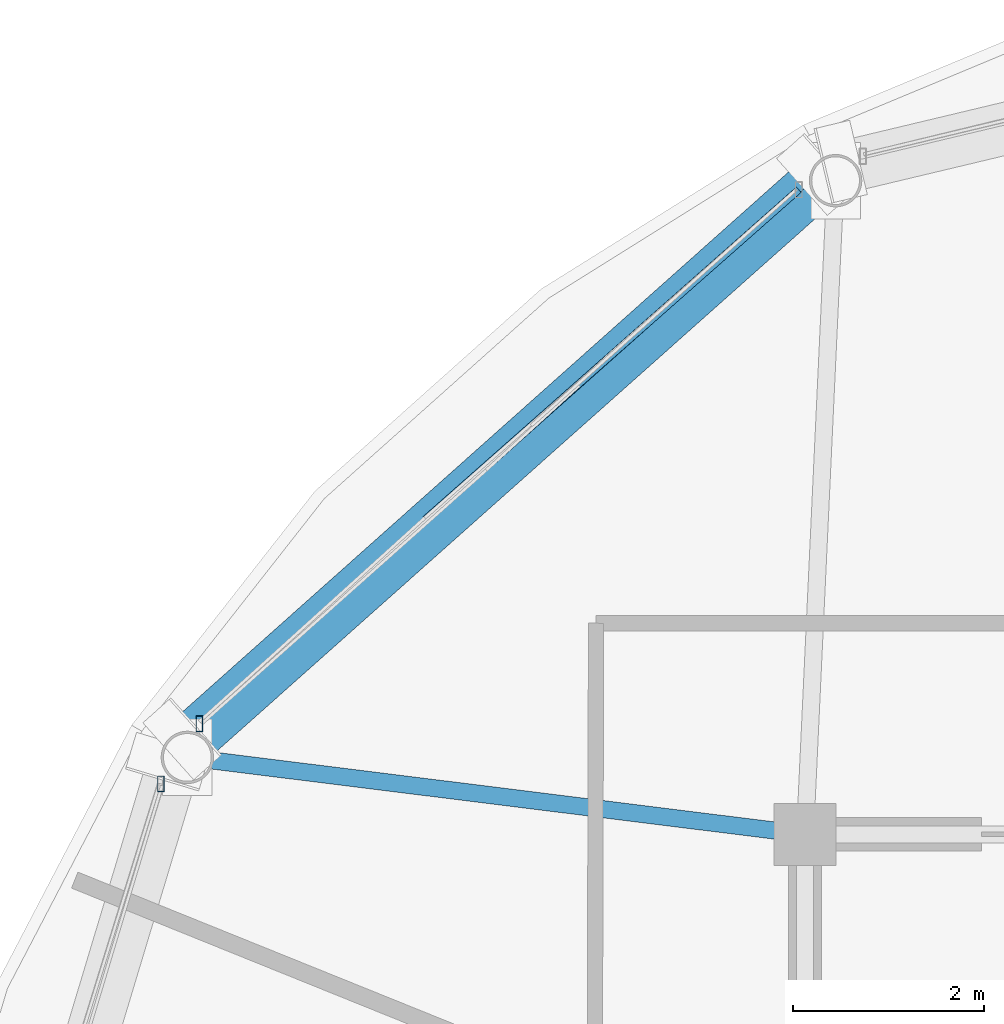
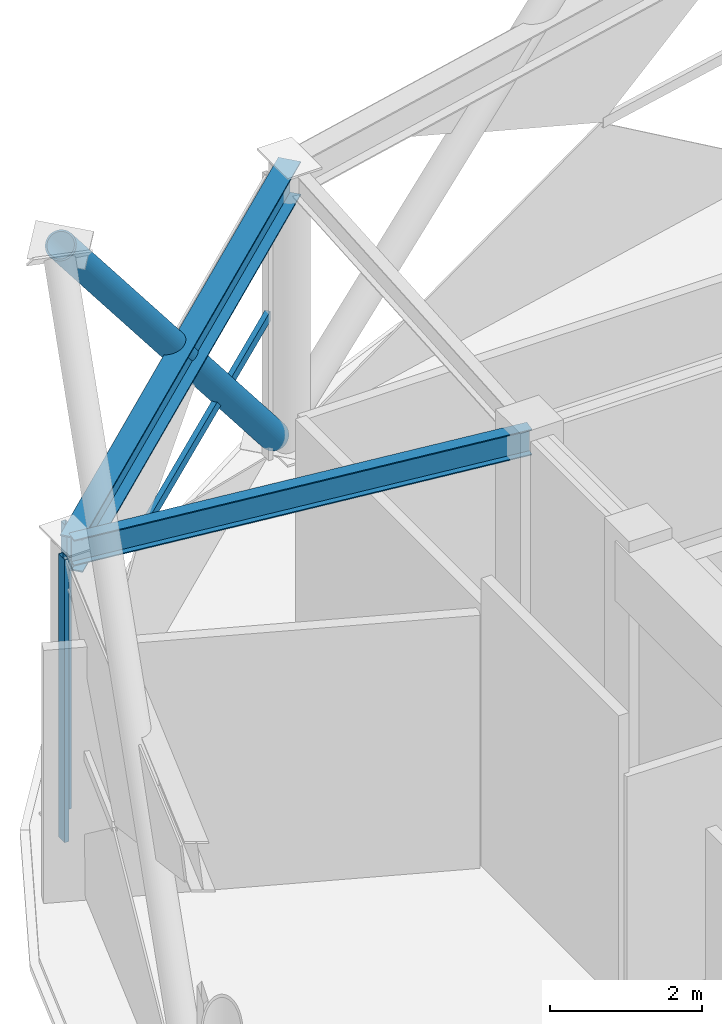
# One storey, part 10 of 27: 4 members, 2 beams, 2 elements without a shape of their own.
"""IFC4 building model written with IfcOpenShell, lengths in metres."""

from ifc_helpers import new_model, si_unit, direction, frame, origin, origin_2d, place, context, subcontext, project, spatial, hollow_rectangle, hollow_circle, i_section, extrude, material, layer, layer_set, material_profile, profile_set, type_object, element, aggregate, save


model = new_model("IFC4")

# Units and contexts
model_context = context("Model", 3, precision=1e-05, world=origin(), true_north=direction((0.0, 1.0)))
body_context = subcontext(model_context, "Body", "Model", "MODEL_VIEW")
ifc_project = project(units=[si_unit("LENGTHUNIT", "METRE"), si_unit("AREAUNIT", "SQUARE_METRE"), si_unit("VOLUMEUNIT", "CUBIC_METRE"), si_unit("PLANEANGLEUNIT", "RADIAN"), si_unit("MASSUNIT", "GRAM", prefix="KILO")], contexts=[model_context])

# Site, building, storey
site_placement = place(None, origin())
site = spatial("IfcSite", under=ifc_project, at=site_placement, CompositionType="ELEMENT")
building_placement = place(site_placement, origin())
building = spatial("IfcBuilding", under=site, at=building_placement, Name="Vantalir Tower", CompositionType="ELEMENT")
storey_placement = place(building_placement, frame((0.0, 0.0, 290.10009765625)))
storey = spatial("IfcBuildingStorey", under=building, at=storey_placement, Name="L73", CompositionType="ELEMENT", Elevation=290.10009765625)

# Beams
ifc_material_1 = material(Name="Steel S355", Category="steel")
ifc_material_profile_1 = material_profile(ifc_material_1, i_section(OverallWidth=0.179931640625, OverallDepth=0.4130859375, WebThickness=0.009521484375, FlangeThickness=0.01611328125, at=origin_2d()), Name="Steel S355")
ifc_profile_set_1 = profile_set([ifc_material_profile_1], Name="Steel S355")
beam_type_1 = type_object("IfcBeamType", Name="BM-RB-406x178", PredefinedType="BEAM", material=ifc_profile_set_1)
beam_1_placement = place(storey_placement, frame((15.427001953125, 33.256103515625, 4.413818359375), z_axis=(0.992333630483, -0.123587886993, 0.0), x_axis=(0.123587886993, 0.992333630483, 0.0)))
element("IfcBeam", 1, at=beam_1_placement, inside=storey, type_object=beam_type_1, Name="L73 Radial Floor Beam 06", PredefinedType="BEAM", context=body_context, shape_type="SweptSolid", body=[
    extrude(i_section(OverallWidth=0.179931640625, OverallDepth=0.4130859375, WebThickness=0.009521484375, FlangeThickness=0.01611328125, at=origin_2d()), origin(), (0.0, 0.0, 1.0), 6.52294921875),
])
ifc_material_2 = material(Name="Steel S460", Category="steel")
ifc_material_profile_2 = material_profile(ifc_material_2, i_section(OverallWidth=0.31201171875, OverallDepth=0.5419921875, WebThickness=0.0126953125, FlangeThickness=0.020263671875, at=origin_2d()), Name="Steel S460")
ifc_profile_set_2 = profile_set([ifc_material_profile_2], Name="Steel S460")
beam_type_2 = type_object("IfcBeamType", Name="BM-RG-533x312", PredefinedType="USERDEFINED", material=ifc_profile_set_2)
beam_2_placement = place(storey_placement, frame((22.219970703125, 39.300048828125, 4.348876953125), z_axis=(-0.747095174026, -0.664717083388, 0.0), x_axis=(0.664717083388, -0.747095174026, 0.0)))
element("IfcBeam", 2, at=beam_2_placement, inside=storey, type_object=beam_type_2, Name="L73 Circumferential Ring Girder 05", ObjectType="GIRDER", PredefinedType="USERDEFINED", context=body_context, shape_type="SweptSolid", body=[
    extrude(i_section(OverallWidth=0.31201171875, OverallDepth=0.5419921875, WebThickness=0.0126953125, FlangeThickness=0.020263671875, at=origin_2d()), origin(), (0.0, 0.0, 1.0), 9.092529296875),
])

# Curtain wall, member
ifc_material_3 = material(Name="Champagne-silver PVDF aluminium and double-silver Low-E glass", Category="aluminium")
ifc_layer = layer(ifc_material_3, 0.219970703125)
ifc_layer_set = layer_set([ifc_layer], Name="Champagne-silver PVDF aluminium and double-silver Low-E glass")
curtain_wall_type = type_object("IfcCurtainWallType", Name="CW-DIAMOND-Z4", PredefinedType="USERDEFINED", material=ifc_layer_set)
curtain_wall_1_placement = place(storey_placement, origin())
curtain_wall_1 = element("IfcCurtainWall", 3, at=curtain_wall_1_placement, inside=storey, type_object=curtain_wall_type, Name="L73 Quilted Pyramid-Diamond Curtain Wall S05", ObjectType="UNITISED CURTAIN WALL", PredefinedType="USERDEFINED")
ifc_material_4 = material(Name="Champagne-silver PVDF aluminium 6063-T6", Category="aluminium")
ifc_material_profile_3 = material_profile(ifc_material_4, hollow_rectangle(XDim=0.070068359375, YDim=0.1650390625, WallThickness=0.00390625, at=origin_2d()), Name="Champagne-silver PVDF aluminium 6063-T6")
ifc_profile_set_3 = profile_set([ifc_material_profile_3], Name="Champagne-silver PVDF aluminium 6063-T6")
member_type_1 = type_object("IfcMemberType", Name="CWM-165x70", PredefinedType="MULLION", material=ifc_profile_set_3)
member_1_placement = place(storey_placement, frame((15.552978515625, 33.610107421875, 0.044921875), z_axis=(0.0, 0.0, 1.0), x_axis=(1.0, 0.0, 0.0)))
member_1 = element("IfcMember", 4, at=member_1_placement, type_object=member_type_1, Name="CW-L73-S05 Mullion 2", PredefinedType="MULLION", context=body_context, shape_type="SweptSolid", body=[
    extrude(hollow_rectangle(XDim=0.070068359375, YDim=0.1650390625, WallThickness=0.00390625, at=origin_2d()), origin(), (0.0, 0.0, 1.0), 4.530029296875),
])

curtain_wall_2_placement = place(storey_placement, origin())
curtain_wall_2 = element("IfcCurtainWall", 5, at=curtain_wall_2_placement, inside=storey, type_object=curtain_wall_type, Name="L73 Quilted Pyramid-Diamond Curtain Wall S06", ObjectType="UNITISED CURTAIN WALL", PredefinedType="USERDEFINED")
member_2_placement = place(storey_placement, frame((15.14990234375, 32.97802734375, 0.044921875), z_axis=(0.0, 0.0, 1.0), x_axis=(1.0, 0.0, 0.0)))
member_2 = element("IfcMember", 6, at=member_2_placement, type_object=member_type_1, Name="CW-L73-S06 Mullion 1", PredefinedType="MULLION", context=body_context, shape_type="SweptSolid", body=[
    extrude(hollow_rectangle(XDim=0.070068359375, YDim=0.1650390625, WallThickness=0.00390625, at=origin_2d()), origin(), (0.0, 0.0, 1.0), 4.530029296875),
])
aggregate(curtain_wall_2, [member_2])

# Member
ifc_material_profile_4 = material_profile(ifc_material_4, hollow_rectangle(XDim=0.074951171875, YDim=0.159912109375, WallThickness=0.00390625, at=origin_2d()), Name="Champagne-silver PVDF aluminium 6063-T6")
ifc_profile_set_4 = profile_set([ifc_material_profile_4], Name="Champagne-silver PVDF aluminium 6063-T6")
member_type_2 = type_object("IfcMemberType", Name="CWT-160x75", PredefinedType="USERDEFINED", material=ifc_profile_set_4)
member_3_placement = place(storey_placement, frame((21.833984375, 39.205078125, 2.309814453125), z_axis=(-0.749706798363, -0.66177013871, 0.0), x_axis=(0.66177013871, -0.749706798363, 0.0)))
member_3 = element("IfcMember", 7, at=member_3_placement, type_object=member_type_2, Name="CW-L73-S05 Pyramid Fold Ridge Transom", ObjectType="TRANSOM", PredefinedType="USERDEFINED", context=body_context, shape_type="SweptSolid", body=[
    extrude(hollow_rectangle(XDim=0.074951171875, YDim=0.159912109375, WallThickness=0.00390625, at=origin_2d()), origin(), (0.0, 0.0, 1.0), 5.219482421875),
])

aggregate(curtain_wall_1, [member_1, member_3])

ifc_material_profile_5 = material_profile(ifc_material_2, hollow_circle(Radius=0.2099609375, WallThickness=0.02490234375, at=origin_2d()), Name="Steel S460")
ifc_profile_set_5 = profile_set([ifc_material_profile_5], Name="Steel S460")
member_type_3 = type_object("IfcMemberType", Name="MEM-DB-420x25", PredefinedType="BRACE", material=ifc_profile_set_5)
member_4_placement = place(storey_placement, frame((22.009033203125, 39.361083984375, 0.23583984375), z_axis=(-0.525995447909, -0.46855638092, 0.709777223273), x_axis=(0.665160339717, -0.746700557431, 0.0)))
element("IfcMember", 8, at=member_4_placement, inside=storey, type_object=member_type_3, Name="L73 Perimeter S460 Diagrid Brace R13L", PredefinedType="BRACE", context=body_context, shape_type="SweptSolid", body=[
    extrude(hollow_circle(Radius=0.2099609375, WallThickness=0.02490234375, at=origin_2d()), origin(), (0.0, 0.0, 1.0), 12.606689453125),
])

save(model, "model.ifc")
